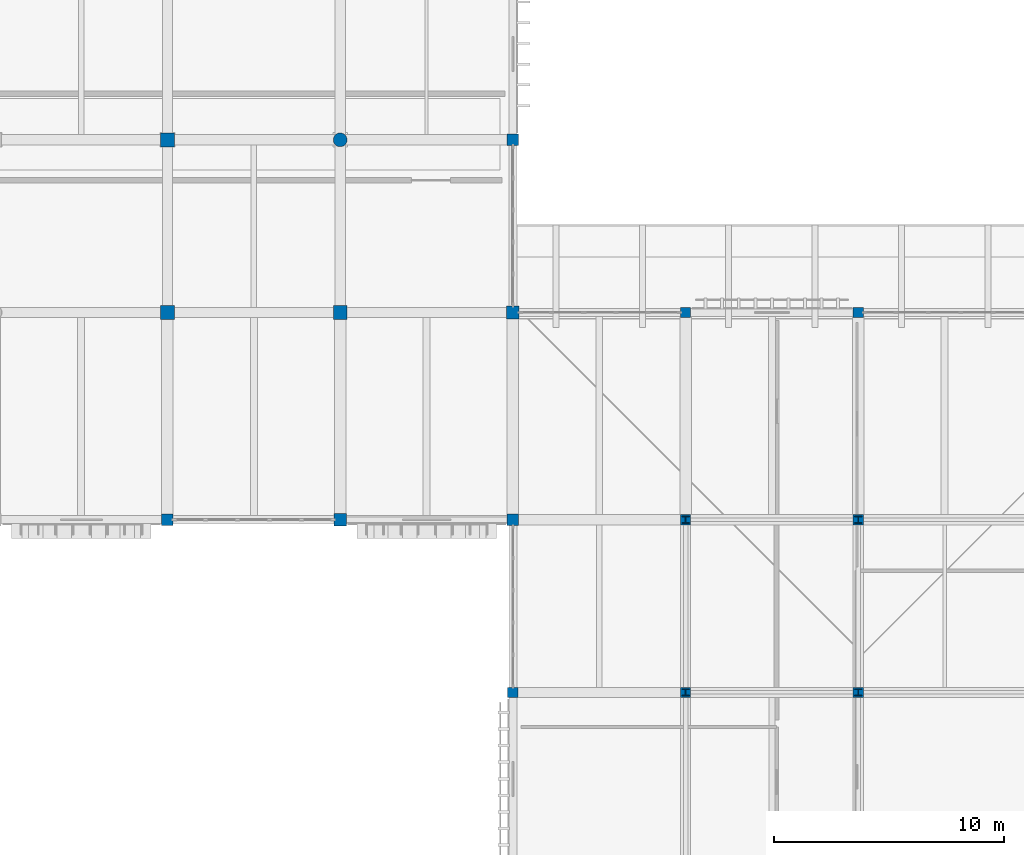
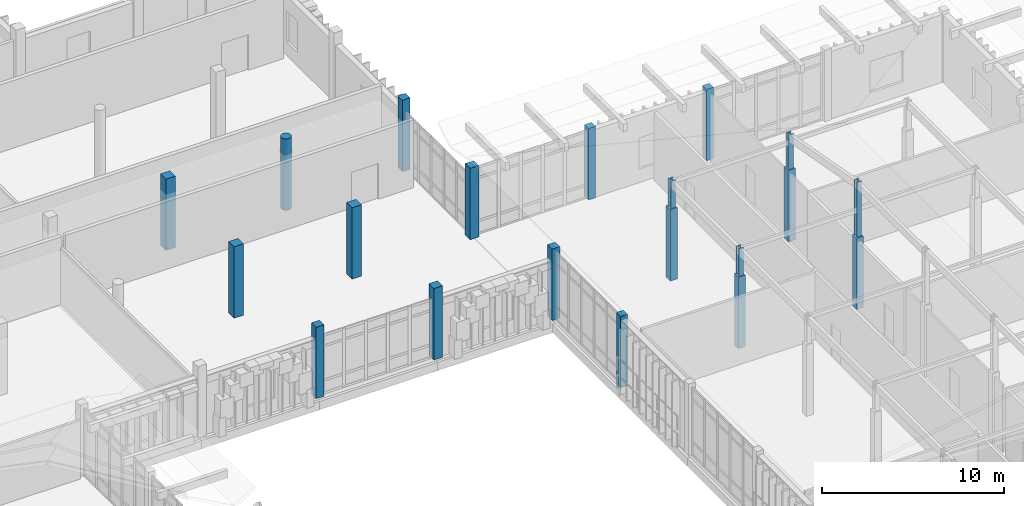
# One storey, part 13 of 131: 20 columns.
"""IFC4 building model written with IfcOpenShell, lengths in metres."""

from ifc_helpers import new_model, si_unit, direction, frame, origin, origin_2d, place, context, subcontext, project, spatial, rectangle, circle, i_section, extrude, material, material_profile, profile_set, type_object, element, save


model = new_model("IFC4")

# Units and contexts
model_context = context("Model", 3, precision=1e-05, world=origin(), true_north=direction((0.0, 1.0)))
body_context = subcontext(model_context, "Body", "Model", "MODEL_VIEW")
ifc_project = project(units=[si_unit("LENGTHUNIT", "METRE"), si_unit("AREAUNIT", "SQUARE_METRE"), si_unit("VOLUMEUNIT", "CUBIC_METRE"), si_unit("PLANEANGLEUNIT", "RADIAN"), si_unit("MASSUNIT", "GRAM", prefix="KILO")], contexts=[model_context])

# Site, building, storey
site_placement = place(None, origin())
site = spatial("IfcSite", under=ifc_project, at=site_placement, CompositionType="ELEMENT")
building_placement = place(site_placement, origin())
building = spatial("IfcBuilding", under=site, at=building_placement, Name="Dalvernix Boulevard General Hospital", CompositionType="ELEMENT")
storey_placement = place(building_placement, frame((0.0, 0.0, 9.300048828125)))
storey = spatial("IfcBuildingStorey", under=building, at=storey_placement, Name="L02", CompositionType="ELEMENT", Elevation=9.300048828125)

# Columns
ifc_material_1 = material(Name="Concrete C40/50", Category="concrete")
ifc_material_profile_1 = material_profile(ifc_material_1, rectangle(XDim=0.60009765625, YDim=0.60009765625, at=origin_2d()), Name="RC 600x600")
ifc_profile_set_1 = profile_set([ifc_material_profile_1], Name="Concrete C40/50")
column_type_1 = type_object("IfcColumnType", Name="COL-C-07-I", PredefinedType="COLUMN", material=ifc_profile_set_1)
for number, where, z_axis, x_axis, name in (
    (1, (127.5, 85.5, 0.0), (0.0, 0.0, 1.0), (1.0, 0.0, 0.0), "L02 column 18M"),
    (2, (127.5, 93.0, 0.0), (0.0, 0.0, 1.0), (1.0, 0.0, 0.0), "L02 column 18N"),
    (3, (135.0, 85.5, 0.0), (0.0, 0.0, 1.0), (1.0, 0.0, 0.0), "L02 column 19M"),
):
    element("IfcColumn", number, at=place(storey_placement, frame(where, z_axis=z_axis, x_axis=x_axis)), inside=storey, type_object=column_type_1, Name=name, PredefinedType="COLUMN", context=body_context, shape_type="SweptSolid", body=[
        extrude(rectangle(XDim=0.60009765625, YDim=0.60009765625, at=origin_2d()), origin(), (0.0, 0.0, 1.0), 4.800048828125),
    ])
ifc_material_profile_2 = material_profile(ifc_material_1, rectangle(XDim=0.550048828125, YDim=0.550048828125, at=origin_2d()), Name="RC 550x550")
ifc_profile_set_2 = profile_set([ifc_material_profile_2], Name="Concrete C40/50")
column_type_2 = type_object("IfcColumnType", Name="COL-C-08-E", PredefinedType="COLUMN", material=ifc_profile_set_2)
for number, where, z_axis, x_axis, name in (
    (4, (135.0, 76.5, 0.0), (0.0, 0.0, 1.0), (1.0, 0.0, 0.0), "L02 column 19L"),
    (5, (142.5, 85.5, 0.0), (0.0, 0.0, 1.0), (1.0, 0.0, 0.0), "L02 column 20M"),
):
    element("IfcColumn", number, at=place(storey_placement, frame(where, z_axis=z_axis, x_axis=x_axis)), inside=storey, type_object=column_type_2, Name=name, PredefinedType="COLUMN", context=body_context, shape_type="SweptSolid", body=[
        extrude(rectangle(XDim=0.550048828125, YDim=0.550048828125, at=origin_2d()), origin(), (0.0, 0.0, 1.0), 4.800048828125),
    ])
ifc_material_profile_3 = material_profile(ifc_material_1, rectangle(XDim=0.5, YDim=0.5, at=origin_2d()), Name="RC 500x500")
ifc_profile_set_3 = profile_set([ifc_material_profile_3], Name="Concrete C40/50")
column_type_3 = type_object("IfcColumnType", Name="COL-C-09-E", PredefinedType="COLUMN", material=ifc_profile_set_3)
for number, where, z_axis, x_axis, name in (
    (6, (127.5, 76.5, 0.0), (0.0, 0.0, 1.0), (1.0, 0.0, 0.0), "L02 column 18L"),
    (7, (142.5, 76.5, 0.0), (0.0, 0.0, 1.0), (1.0, 0.0, 0.0), "L02 column 20L"),
    (8, (142.5, 93.0, 0.0), (0.0, 0.0, 1.0), (1.0, 0.0, 0.0), "L02 column 20N"),
):
    element("IfcColumn", number, at=place(storey_placement, frame(where, z_axis=z_axis, x_axis=x_axis)), inside=storey, type_object=column_type_3, Name=name, PredefinedType="COLUMN", context=body_context, shape_type="SweptSolid", body=[
        extrude(rectangle(XDim=0.5, YDim=0.5, at=origin_2d()), origin(), (0.0, 0.0, 1.0), 4.800048828125),
    ])
ifc_material_profile_4 = material_profile(ifc_material_1, rectangle(XDim=0.449951171875, YDim=0.449951171875, at=origin_2d()), Name="RC 450x450")
ifc_profile_set_4 = profile_set([ifc_material_profile_4], Name="Concrete C40/50")
column_type_4 = type_object("IfcColumnType", Name="COL-C-10-E", PredefinedType="COLUMN", material=ifc_profile_set_4)
for number, where, z_axis, x_axis, name in (
    (9, (142.5, 69.0, 0.0), (0.0, 0.0, 1.0), (1.0, 0.0, 0.0), "L02 column 20K"),
    (10, (150.0, 85.5, 0.0), (0.0, 0.0, 1.0), (1.0, 0.0, 0.0), "L02 column 21M"),
    (11, (157.5, 85.5, 0.0), (0.0, 0.0, 1.0), (1.0, 0.0, 0.0), "L02 column 22M"),
):
    element("IfcColumn", number, at=place(storey_placement, frame(where, z_axis=z_axis, x_axis=x_axis)), inside=storey, type_object=column_type_4, Name=name, PredefinedType="COLUMN", context=body_context, shape_type="SweptSolid", body=[
        extrude(rectangle(XDim=0.449951171875, YDim=0.449951171875, at=origin_2d()), origin(), (0.0, 0.0, 1.0), 4.800048828125),
    ])
ifc_material_profile_5 = material_profile(ifc_material_1, rectangle(XDim=0.449951171875, YDim=0.449951171875, at=origin_2d()), Name="RC 450x450")
ifc_profile_set_5 = profile_set([ifc_material_profile_5], Name="Concrete C40/50")
column_type_5 = type_object("IfcColumnType", Name="COL-C-10-I", PredefinedType="COLUMN", material=ifc_profile_set_5)
for number, where, z_axis, x_axis, name in (
    (12, (150.0, 69.0, 0.0), (0.0, 0.0, 1.0), (1.0, 0.0, 0.0), "L02 column 21K"),
    (13, (150.0, 76.5, 0.0), (0.0, 0.0, 1.0), (1.0, 0.0, 0.0), "L02 column 21L"),
    (14, (157.5, 69.0, 0.0), (0.0, 0.0, 1.0), (1.0, 0.0, 0.0), "L02 column 22K"),
    (15, (157.5, 76.5, 0.0), (0.0, 0.0, 1.0), (1.0, 0.0, 0.0), "L02 column 22L"),
):
    element("IfcColumn", number, at=place(storey_placement, frame(where, z_axis=z_axis, x_axis=x_axis)), inside=storey, type_object=column_type_5, Name=name, PredefinedType="COLUMN", context=body_context, shape_type="SweptSolid", body=[
        extrude(rectangle(XDim=0.449951171875, YDim=0.449951171875, at=origin_2d()), origin(), (0.0, 0.0, 1.0), 4.800048828125),
    ])
ifc_material_profile_6 = material_profile(ifc_material_1, circle(Radius=0.300048828125, at=origin_2d()), Name="RC D600")
ifc_profile_set_6 = profile_set([ifc_material_profile_6], Name="Concrete C40/50")
column_type_6 = type_object("IfcColumnType", Name="COL-C-15-I", PredefinedType="COLUMN", material=ifc_profile_set_6)
column_1_placement = place(storey_placement, frame((135.0, 93.0, 0.0), z_axis=(0.0, 0.0, 1.0), x_axis=(1.0, 0.0, 0.0)))
element("IfcColumn", 16, at=column_1_placement, inside=storey, type_object=column_type_6, Name="L02 column 19N", PredefinedType="COLUMN", context=body_context, shape_type="SweptSolid", body=[
    extrude(circle(Radius=0.300048828125, at=origin_2d()), origin(), (0.0, 0.0, 1.0), 4.800048828125),
])
ifc_material_2 = material(Name="Steel S355", Category="steel")
ifc_material_profile_7 = material_profile(ifc_material_2, i_section(OverallWidth=0.300048828125, OverallDepth=0.300048828125, WebThickness=0.010986328125, FlangeThickness=0.01904296875, FilletRadius=0.027099609375, at=origin_2d()), Name="HEB 300")
ifc_profile_set_7 = profile_set([ifc_material_profile_7], Name="Steel S355")
column_type_7 = type_object("IfcColumnType", Name="COL-C-18", PredefinedType="COLUMN", material=ifc_profile_set_7)
for number, where, z_axis, x_axis, name in (
    (17, (150.0, 69.0, 4.800048828125), (0.0, 0.0, 1.0), (1.0, 0.0, 0.0), "V2 roof king post 21K"),
    (18, (150.0, 76.5, 4.800048828125), (0.0, 0.0, 1.0), (1.0, 0.0, 0.0), "V2 roof king post 21L"),
):
    element("IfcColumn", number, at=place(storey_placement, frame(where, z_axis=z_axis, x_axis=x_axis)), inside=storey, type_object=column_type_7, Name=name, PredefinedType="COLUMN", context=body_context, shape_type="SweptSolid", body=[
        extrude(i_section(OverallWidth=0.300048828125, OverallDepth=0.300048828125, WebThickness=0.010986328125, FlangeThickness=0.01904296875, FilletRadius=0.027099609375, at=origin_2d()), origin(), (0.0, 0.0, 1.0), 1.87158203125),
    ])
column_2_placement = place(storey_placement, frame((157.5, 69.0, 4.800048828125), z_axis=(0.0, 0.0, 1.0), x_axis=(1.0, 0.0, 0.0)))
element("IfcColumn", 19, at=column_2_placement, inside=storey, type_object=column_type_7, Name="V2 roof king post 22K", PredefinedType="COLUMN", context=body_context, shape_type="SweptSolid", body=[
    extrude(i_section(OverallWidth=0.300048828125, OverallDepth=0.300048828125, WebThickness=0.010986328125, FlangeThickness=0.01904296875, FilletRadius=0.027099609375, at=origin_2d()), origin(), (0.0, 0.0, 1.0), 3.7138671875),
])
column_3_placement = place(storey_placement, frame((157.5, 76.5, 4.800048828125), z_axis=(0.0, 0.0, 1.0), x_axis=(1.0, 0.0, 0.0)))
element("IfcColumn", 20, at=column_3_placement, inside=storey, type_object=column_type_7, Name="V2 roof king post 22L", PredefinedType="COLUMN", context=body_context, shape_type="SweptSolid", body=[
    extrude(i_section(OverallWidth=0.300048828125, OverallDepth=0.300048828125, WebThickness=0.010986328125, FlangeThickness=0.01904296875, FilletRadius=0.027099609375, at=origin_2d()), origin(), (0.0, 0.0, 1.0), 2.33837890625),
])

save(model, "model.ifc")
